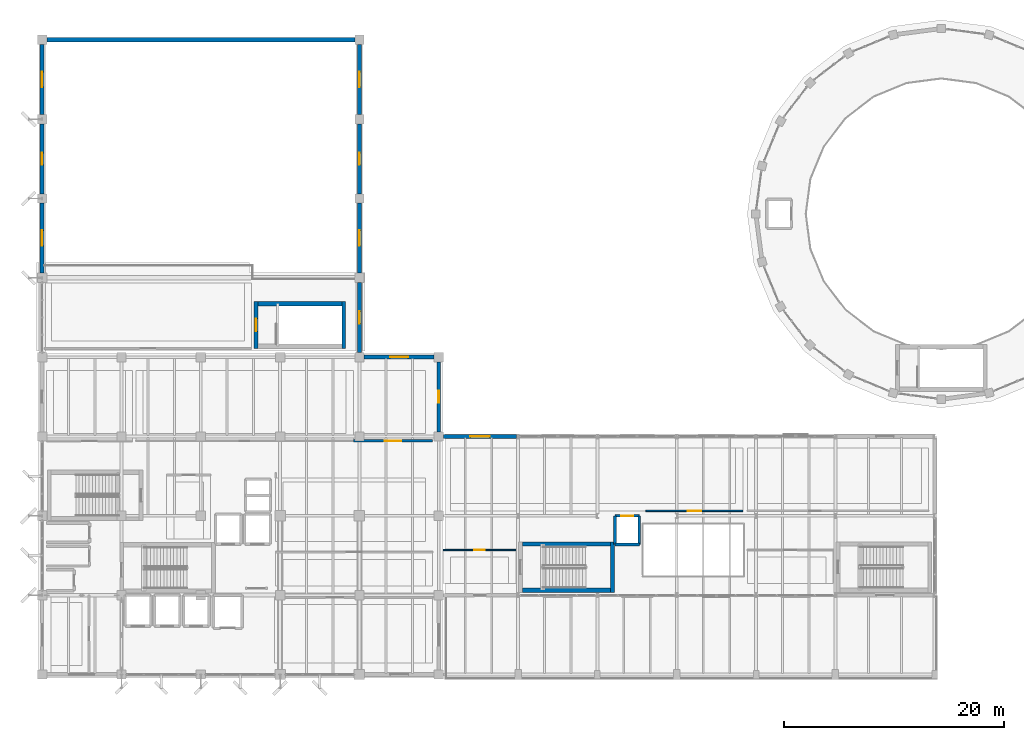
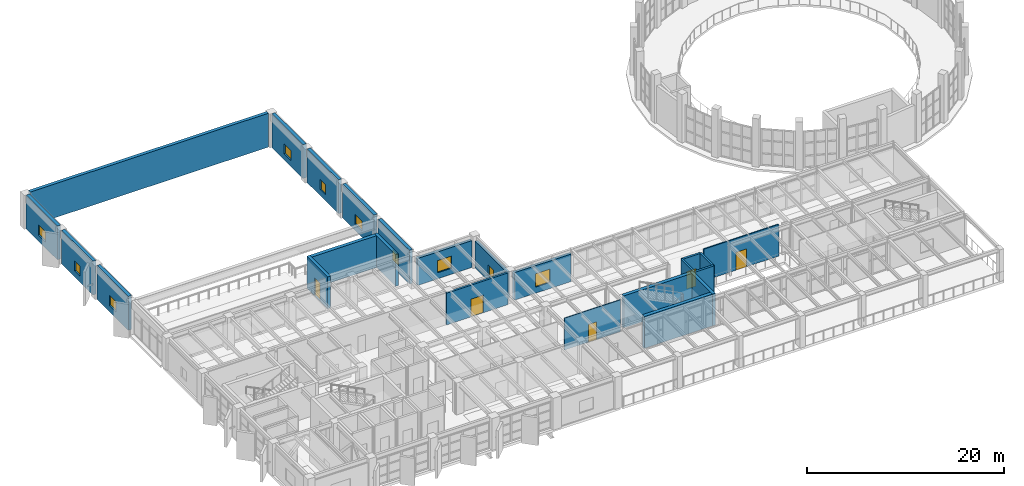
# One storey, part 42 of 59: 24 walls, 10 windows, 5 doors, 15 openings.
"""IFC4 building model written with IfcOpenShell, lengths in metres."""

from ifc_helpers import new_model, si_unit, direction, frame, frame_2d, origin, place, context, subcontext, project, spatial, rectangle, extrude, material, layer, layer_set, type_object, element, fill, save


model = new_model("IFC4")

# Units and contexts
model_context = context("Model", 3, precision=1e-05, world=origin(), true_north=direction((0.0, 1.0)))
body_context = subcontext(model_context, "Body", "Model", "MODEL_VIEW")
ifc_project = project(units=[si_unit("LENGTHUNIT", "METRE"), si_unit("AREAUNIT", "SQUARE_METRE"), si_unit("VOLUMEUNIT", "CUBIC_METRE"), si_unit("PLANEANGLEUNIT", "RADIAN"), si_unit("MASSUNIT", "GRAM", prefix="KILO")], contexts=[model_context])

# Site, building, storey
site_placement = place(None, origin())
site = spatial("IfcSite", under=ifc_project, at=site_placement, CompositionType="ELEMENT")
building_placement = place(site_placement, origin())
building = spatial("IfcBuilding", under=site, at=building_placement, Name="Kandorven Conservatory and Botanical Research Centre", CompositionType="ELEMENT")
storey_placement = place(building_placement, frame((0.0, 0.0, 4.800048828125)))
storey = spatial("IfcBuildingStorey", under=building, at=storey_placement, Name="L01", CompositionType="ELEMENT", Elevation=4.800048828125)

# Walls
ifc_material_1 = material(Name="Concrete C40/50 (M50)", Category="concrete")
ifc_layer_1 = layer(ifc_material_1, 0.39990234375)
ifc_layer_set_1 = layer_set([ifc_layer_1], Name="Concrete C40/50 (M50)")
wall_type_1 = type_object("IfcWallType", Name="Wall_CW-RC-1", PredefinedType="SHEAR", material=ifc_layer_set_1)
for number, where, z_axis, x_axis, name in (
    (1, (49.60009765625, 13.64501953125, 0.0), (0.0, 0.0, 1.0), (1.0, 0.0, 0.0), "Core stair shear wall CW-RC-1 ST-V3A L01 side A"),
    (2, (49.60009765625, 17.844970703125, 0.0), (0.0, 0.0, 1.0), (1.0, 0.0, 0.0), "Core stair shear wall CW-RC-1 ST-V3A L01 side B"),
):
    element("IfcWall", number, at=place(storey_placement, frame(where, z_axis=z_axis, x_axis=x_axis)), inside=storey, type_object=wall_type_1, Name=name, PredefinedType="SHEAR", context=body_context, shape_type="SweptSolid", body=[
        extrude(rectangle(XDim=7.97998046875, YDim=0.39990234375, at=frame_2d((3.989990234375, 0.0))), origin(), (0.0, 0.0, 1.0), 3.949951171875),
    ])
wall_1_placement = place(storey_placement, frame((25.60009765625, 39.655029296875, 0.0), z_axis=(0.0, 0.0, 1.0), x_axis=(1.0, 0.0, 0.0)))
element("IfcWall", 3, at=wall_1_placement, inside=storey, type_object=wall_type_1, Name="Core stair shear wall CW-RC-1 ST-V2 L01 side B", PredefinedType="SHEAR", context=body_context, shape_type="SweptSolid", body=[
    extrude(rectangle(XDim=7.599853515625, YDim=0.39990234375, at=frame_2d((3.7998046875, 0.0))), origin(), (0.0, 0.0, 1.0), 3.949951171875),
])
ifc_material_2 = material(Name="Concrete C40/50 (M50)", Category="concrete")
ifc_layer_2 = layer(ifc_material_2, 0.35009765625)
ifc_layer_set_2 = layer_set([ifc_layer_2], Name="Concrete C40/50 (M50)")
wall_type_2 = type_object("IfcWallType", Name="Wall_CW-RC-2", PredefinedType="SHEAR", material=ifc_layer_set_2)
wall_2_placement = place(storey_placement, frame((57.7548828125, 13.449951171875, 0.0), z_axis=(0.0, 0.0, 1.0), x_axis=(0.0, 1.0, 0.0)))
element("IfcWall", 4, at=wall_2_placement, inside=storey, type_object=wall_type_2, Name="Core stair shear wall CW-RC-2 ST-V3A L01 far", PredefinedType="SHEAR", context=body_context, shape_type="SweptSolid", body=[
    extrude(rectangle(XDim=4.590087890625, YDim=0.35009765625, at=frame_2d((2.294921875, 0.0))), origin(), (0.0, 0.0, 1.0), 3.949951171875),
])

# Wall, opening, door
wall_3_placement = place(storey_placement, frame((25.425048828125, 35.60009765625, 0.0), z_axis=(0.0, 0.0, 1.0), x_axis=(0.0, 1.0, 0.0)))
wall_3 = element("IfcWall", 5, at=wall_3_placement, inside=storey, type_object=wall_type_2, Name="Core stair shear wall CW-RC-2 ST-V2 L01 entry", PredefinedType="SHEAR", context=body_context, shape_type="SweptSolid", body=[
    extrude(rectangle(XDim=4.25, YDim=0.35009765625, at=frame_2d((2.125, 0.0))), origin(), (0.0, 0.0, 1.0), 3.949951171875),
])
opening_1_placement = place(wall_3_placement, frame((1.550048828125, 0.0, 0.0)))
opening_1 = element("IfcOpeningElement", 6, at=opening_1_placement, cuts=wall_3, Name="Opening FD-2", PredefinedType="OPENING", context=body_context, shape_type="SweptSolid", body=[
    extrude(rectangle(XDim=1.14990234375, YDim=2.199951171875, at=frame_2d((0.574951171875, 1.10009765625))), frame((0.0, 0.18505859375, 0.0), z_axis=(0.0, -1.0, 0.0), x_axis=(1.0, 0.0, 0.0)), (0.0, 0.0, 1.0), 0.3701171875),
])
ifc_material_3 = material(Name="Galvanised hollow steel fire door assembly", Category="steel")
door_type_1 = type_object("IfcDoorType", Name="Door_FD-2", OperationType="NOTDEFINED", PredefinedType="DOOR", material=ifc_material_3)
door_1_placement = place(opening_1_placement, origin())
door_1 = element("IfcDoor", 7, at=door_1_placement, inside=storey, type_object=door_type_1, Name="Exit stair fire door FD-2 ST-V2 L01", OperationType="SINGLE_SWING_RIGHT", OverallHeight=2.199951171875, OverallWidth=1.14990234375, PredefinedType="DOOR", context=body_context, shape_type="SweptSolid", body=[
    extrude(rectangle(XDim=1.14990234375, YDim=2.199951171875, at=frame_2d((0.574951171875, 1.10009765625))), frame((0.0, 0.02490234375, 0.0), z_axis=(0.0, -1.0, 0.0), x_axis=(1.0, 0.0, 0.0)), (0.0, 0.0, 1.0), 0.050048828125),
])
fill(opening_1, door_1)

# Walls
wall_4_placement = place(storey_placement, frame((33.375, 35.60009765625, 0.0), z_axis=(0.0, 0.0, 1.0), x_axis=(0.0, 1.0, 0.0)))
element("IfcWall", 8, at=wall_4_placement, inside=storey, type_object=wall_type_2, Name="Core stair shear wall CW-RC-2 ST-V2 L01 far", PredefinedType="SHEAR", context=body_context, shape_type="SweptSolid", body=[
    extrude(rectangle(XDim=4.25, YDim=0.35009765625, at=frame_2d((2.125, 0.0))), origin(), (0.0, 0.0, 1.0), 3.949951171875),
])
wall_5_placement = place(storey_placement, frame((58.0, 17.800048828125, 0.0), z_axis=(0.0, 0.0, 1.0), x_axis=(1.0, 0.0, 0.0)))
element("IfcWall", 9, at=wall_5_placement, inside=storey, type_object=wall_type_2, Name="Lift shaft wall VL-1 L01 S", PredefinedType="SHEAR", context=body_context, shape_type="SweptSolid", body=[
    extrude(rectangle(XDim=2.199951171875, YDim=0.25, at=frame_2d((1.10009765625, 0.0))), origin(), (0.0, 0.0, 1.0), 3.949951171875),
])

# Wall, opening, door
wall_6_placement = place(storey_placement, frame((58.0, 20.39990234375, 0.0), z_axis=(0.0, 0.0, 1.0), x_axis=(1.0, 0.0, 0.0)))
wall_6 = element("IfcWall", 10, at=wall_6_placement, inside=storey, type_object=wall_type_2, Name="Lift shaft wall VL-1 L01 N", PredefinedType="SHEAR", context=body_context, shape_type="SweptSolid", body=[
    extrude(rectangle(XDim=2.199951171875, YDim=0.25, at=frame_2d((1.10009765625, 0.0))), origin(), (0.0, 0.0, 1.0), 3.949951171875),
])
opening_2_placement = place(wall_6_placement, frame((0.550048828125, 0.0, 0.0)))
opening_2 = element("IfcOpeningElement", 11, at=opening_2_placement, cuts=wall_6, Name="Opening LD-01", PredefinedType="OPENING", context=body_context, shape_type="SweptSolid", body=[
    extrude(rectangle(XDim=1.10009765625, YDim=2.199951171875, at=frame_2d((0.550048828125, 1.10009765625))), frame((0.0, 0.135009765625, 0.0), z_axis=(0.0, -1.0, 0.0), x_axis=(1.0, 0.0, 0.0)), (0.0, 0.0, 1.0), 0.27001953125),
])
ifc_material_4 = material(Name="Anodised aluminium sliding landing door", Category="aluminium")
door_type_2 = type_object("IfcDoorType", Name="Door_LD-01", OperationType="DOUBLE_DOOR_SLIDING", PredefinedType="DOOR", material=ifc_material_4)
door_2_placement = place(opening_2_placement, origin())
door_2 = element("IfcDoor", 12, at=door_2_placement, inside=storey, type_object=door_type_2, Name="Lift landing sliding door LD-01 (VL-1 L01)", OperationType="DOUBLE_DOOR_SLIDING", OverallHeight=2.199951171875, OverallWidth=1.10009765625, PredefinedType="DOOR", context=body_context, shape_type="SweptSolid", body=[
    extrude(rectangle(XDim=1.10009765625, YDim=2.199951171875, at=frame_2d((0.550048828125, 1.10009765625))), frame((0.0, 0.02490234375, 0.0), z_axis=(0.0, -1.0, 0.0), x_axis=(1.0, 0.0, 0.0)), (0.0, 0.0, 1.0), 0.050048828125),
])
fill(opening_2, door_2)

# Walls
for number, where, z_axis, x_axis, name in (
    (13, (58.0, 17.800048828125, 0.0), (0.0, 0.0, 1.0), (0.0, 1.0, 0.0), "Lift shaft wall VL-1 L01 W"),
    (14, (60.199951171875, 17.800048828125, 0.0), (0.0, 0.0, 1.0), (0.0, 1.0, 0.0), "Lift shaft wall VL-1 L01 E"),
):
    element("IfcWall", number, at=place(storey_placement, frame(where, z_axis=z_axis, x_axis=x_axis)), inside=storey, type_object=wall_type_2, Name=name, PredefinedType="SHEAR", context=body_context, shape_type="SweptSolid", body=[
        extrude(rectangle(XDim=2.599853515625, YDim=0.25, at=frame_2d((1.2998046875, 0.0))), origin(), (0.0, 0.0, 1.0), 3.949951171875),
    ])

# Wall, opening, window
ifc_material_5 = material(Name="Concrete C40/50 (M50)", Category="concrete")
ifc_layer_3 = layer(ifc_material_5, 0.360107421875)
ifc_layer_set_3 = layer_set([ifc_layer_3], Name="Concrete C40/50 (M50)")
wall_type_3 = type_object("IfcWallType", Name="Wall_EW-01", PredefinedType="STANDARD", material=ifc_layer_set_3)
wall_7_placement = place(storey_placement, frame((35.22509765625, 34.800048828125, 0.0), z_axis=(0.0, 0.0, 1.0), x_axis=(1.0, 0.0, 0.0)))
wall_7 = element("IfcWall", 15, at=wall_7_placement, inside=storey, type_object=wall_type_3, Name="Tower concrete facade wall EW-01 N L01", PredefinedType="STANDARD", context=body_context, shape_type="SweptSolid", body=[
    extrude(rectangle(XDim=6.349853515625, YDim=0.360107421875, at=frame_2d((3.1748046875, 0.0))), origin(), (0.0, 0.0, 1.0), 3.329833984375),
])
opening_3_placement = place(wall_7_placement, frame((2.35009765625, 0.0, 0.75)))
opening_3 = element("IfcOpeningElement", 16, at=opening_3_placement, cuts=wall_7, Name="Opening W-41", PredefinedType="OPENING", context=body_context, shape_type="SweptSolid", body=[
    extrude(rectangle(XDim=1.64990234375, YDim=1.5, at=frame_2d((0.824951171875, 0.75))), frame((0.0, 0.18994140625, 0.0), z_axis=(0.0, -1.0, 0.0), x_axis=(1.0, 0.0, 0.0)), (0.0, 0.0, 1.0), 0.380126953125),
])
ifc_material_6 = material(Name="Double-glazed solar-control low-E glass", Category="glass")
window_type_1 = type_object("IfcWindowType", Name="Win_W-41", PartitioningType="DOUBLE_PANEL_VERTICAL", PredefinedType="WINDOW", material=ifc_material_6)
window_1_placement = place(opening_3_placement, origin())
window_1 = element("IfcWindow", 17, at=window_1_placement, inside=storey, type_object=window_type_1, Name="Tower recessed solar window W-41", OverallHeight=1.5, OverallWidth=1.64990234375, PartitioningType="SINGLE_PANEL", PredefinedType="WINDOW", context=body_context, shape_type="SweptSolid", body=[
    extrude(rectangle(XDim=1.64990234375, YDim=1.5, at=frame_2d((0.824951171875, 0.75))), frame((0.0, 0.030029296875, 0.0), z_axis=(0.0, -1.0, 0.0), x_axis=(1.0, 0.0, 0.0)), (0.0, 0.0, 1.0), 0.06005859375),
])
fill(opening_3, window_1)

ifc_material_7 = material(Name="Concrete C32/40 (M40)", Category="concrete")
ifc_layer_4 = layer(ifc_material_7, 0.340087890625)
ifc_layer_set_4 = layer_set([ifc_layer_4], Name="Concrete C32/40 (M40)")
wall_type_4 = type_object("IfcWallType", Name="Wall_EW-02", PredefinedType="STANDARD", material=ifc_layer_set_4)
wall_8_placement = place(storey_placement, frame((42.425048828125, 27.60009765625, 0.0), z_axis=(0.0, 0.0, 1.0), x_axis=(1.0, 0.0, 0.0)))
wall_8 = element("IfcWall", 18, at=wall_8_placement, inside=storey, type_object=wall_type_4, Name="Visitor centre concrete wall EW-02 N L01", PredefinedType="STANDARD", context=body_context, shape_type="SweptSolid", body=[
    extrude(rectangle(XDim=6.64990234375, YDim=0.340087890625, at=frame_2d((3.324951171875, 0.0))), origin(), (0.0, 0.0, 1.0), 3.409912109375),
])
opening_4_placement = place(wall_8_placement, frame((2.449951171875, 0.0, 0.75)))
opening_4 = element("IfcOpeningElement", 19, at=opening_4_placement, cuts=wall_8, Name="Opening W-28", PredefinedType="OPENING", context=body_context, shape_type="SweptSolid", body=[
    extrude(rectangle(XDim=1.75, YDim=1.64990234375, at=frame_2d((0.875, 0.824951171875))), frame((0.0, 0.179931640625, 0.0), z_axis=(0.0, -1.0, 0.0), x_axis=(1.0, 0.0, 0.0)), (0.0, 0.0, 1.0), 0.360107421875),
])
ifc_material_8 = material(Name="Double-glazed solar-control low-E glass", Category="glass")
window_type_2 = type_object("IfcWindowType", Name="Win_W-28", PartitioningType="DOUBLE_PANEL_VERTICAL", PredefinedType="WINDOW", material=ifc_material_8)
window_2_placement = place(opening_4_placement, origin())
window_2 = element("IfcWindow", 20, at=window_2_placement, inside=storey, type_object=window_type_2, Name="Visitor wing deep-reveal window W-28", OverallHeight=1.64990234375, OverallWidth=1.75, PartitioningType="SINGLE_PANEL", PredefinedType="WINDOW", context=body_context, shape_type="SweptSolid", body=[
    extrude(rectangle(XDim=1.75, YDim=1.64990234375, at=frame_2d((0.875, 0.824951171875))), frame((0.0, 0.030029296875, 0.0), z_axis=(0.0, -1.0, 0.0), x_axis=(1.0, 0.0, 0.0)), (0.0, 0.0, 1.0), 0.06005859375),
])
fill(opening_4, window_2)

wall_9_placement = place(storey_placement, frame((42.0, 28.02490234375, 0.0), z_axis=(0.0, 0.0, 1.0), x_axis=(0.0, 1.0, 0.0)))
wall_9 = element("IfcWall", 21, at=wall_9_placement, inside=storey, type_object=wall_type_4, Name="Tower concrete facade wall EW-02 E L01", PredefinedType="STANDARD", context=body_context, shape_type="SweptSolid", body=[
    extrude(rectangle(XDim=6.35009765625, YDim=0.340087890625, at=frame_2d((3.175048828125, 0.0))), origin(), (0.0, 0.0, 1.0), 3.329833984375),
])
opening_5_placement = place(wall_9_placement, frame((2.625, 0.0, 0.75)))
opening_5 = element("IfcOpeningElement", 22, at=opening_5_placement, cuts=wall_9, Name="Opening W-45", PredefinedType="OPENING", context=body_context, shape_type="SweptSolid", body=[
    extrude(rectangle(XDim=1.10009765625, YDim=1.25, at=frame_2d((0.550048828125, 0.625))), frame((0.0, 0.179931640625, 0.0), z_axis=(0.0, -1.0, 0.0), x_axis=(1.0, 0.0, 0.0)), (0.0, 0.0, 1.0), 0.360107421875),
])
ifc_material_9 = material(Name="Double-glazed solar-control low-E glass", Category="glass")
window_type_3 = type_object("IfcWindowType", Name="Win_W-45", PartitioningType="DOUBLE_PANEL_VERTICAL", PredefinedType="WINDOW", material=ifc_material_9)
window_3_placement = place(opening_5_placement, origin())
window_3 = element("IfcWindow", 23, at=window_3_placement, inside=storey, type_object=window_type_3, Name="Tower recessed solar window W-45", OverallHeight=1.25, OverallWidth=1.10009765625, PartitioningType="SINGLE_PANEL", PredefinedType="WINDOW", context=body_context, shape_type="SweptSolid", body=[
    extrude(rectangle(XDim=1.10009765625, YDim=1.25, at=frame_2d((0.550048828125, 0.625))), frame((0.0, 0.030029296875, 0.0), z_axis=(0.0, -1.0, 0.0), x_axis=(1.0, 0.0, 0.0)), (0.0, 0.0, 1.0), 0.06005859375),
])
fill(opening_5, window_3)

ifc_material_10 = material(Name="Concrete C40/50 (M50)", Category="concrete")
ifc_layer_5 = layer(ifc_material_10, 0.3798828125)
ifc_layer_set_5 = layer_set([ifc_layer_5], Name="Concrete C40/50 (M50)")
wall_type_5 = type_object("IfcWallType", Name="Wall_EW-AU-01", PredefinedType="STANDARD", material=ifc_layer_set_5)
wall_10_placement = place(storey_placement, frame((6.0, 42.425048828125, 0.0), z_axis=(0.0, 0.0, 1.0), x_axis=(0.0, 1.0, 0.0)))
wall_10 = element("IfcWall", 24, at=wall_10_placement, inside=storey, type_object=wall_type_5, Name="Auditorium sculpted concrete wall W L01 bay 2", PredefinedType="STANDARD", context=body_context, shape_type="SweptSolid", body=[
    extrude(rectangle(XDim=6.349853515625, YDim=0.3798828125, at=frame_2d((3.1748046875, 0.0))), origin(), (0.0, 0.0, 1.0), 4.199951171875),
])
opening_6_placement = place(wall_10_placement, frame((2.47509765625, 0.0, 0.75)))
opening_6 = element("IfcOpeningElement", 25, at=opening_6_placement, cuts=wall_10, Name="Opening W-46", PredefinedType="OPENING", context=body_context, shape_type="SweptSolid", body=[
    extrude(rectangle(XDim=1.39990234375, YDim=1.25, at=frame_2d((0.699951171875, 0.625))), frame((0.0, 0.199951171875, 0.0), z_axis=(0.0, -1.0, 0.0), x_axis=(1.0, 0.0, 0.0)), (0.0, 0.0, 1.0), 0.39990234375),
])
ifc_material_11 = material(Name="Double-glazed solar-control low-E glass", Category="glass")
window_type_4 = type_object("IfcWindowType", Name="Win_W-46", PartitioningType="DOUBLE_PANEL_VERTICAL", PredefinedType="WINDOW", material=ifc_material_11)
window_4_placement = place(opening_6_placement, origin())
window_4 = element("IfcWindow", 26, at=window_4_placement, inside=storey, type_object=window_type_4, Name="Auditorium vertical slot window W-46", OverallHeight=1.25, OverallWidth=1.39990234375, PartitioningType="SINGLE_PANEL", PredefinedType="WINDOW", context=body_context, shape_type="SweptSolid", body=[
    extrude(rectangle(XDim=1.39990234375, YDim=1.25, at=frame_2d((0.699951171875, 0.625))), frame((0.0, 0.030029296875, 0.0), z_axis=(0.0, -1.0, 0.0), x_axis=(1.0, 0.0, 0.0)), (0.0, 0.0, 1.0), 0.06005859375),
])
fill(opening_6, window_4)

wall_11_placement = place(storey_placement, frame((6.0, 49.625, 0.0), z_axis=(0.0, 0.0, 1.0), x_axis=(0.0, 1.0, 0.0)))
wall_11 = element("IfcWall", 27, at=wall_11_placement, inside=storey, type_object=wall_type_5, Name="Auditorium sculpted concrete wall W L01 bay 3", PredefinedType="STANDARD", context=body_context, shape_type="SweptSolid", body=[
    extrude(rectangle(XDim=6.35009765625, YDim=0.3798828125, at=frame_2d((3.175048828125, 0.0))), origin(), (0.0, 0.0, 1.0), 4.199951171875),
])
opening_7_placement = place(wall_11_placement, frame((2.625, 0.0, 0.75)))
opening_7 = element("IfcOpeningElement", 28, at=opening_7_placement, cuts=wall_11, Name="Opening W-45", PredefinedType="OPENING", context=body_context, shape_type="SweptSolid", body=[
    extrude(rectangle(XDim=1.10009765625, YDim=1.25, at=frame_2d((0.550048828125, 0.625))), frame((0.0, 0.199951171875, 0.0), z_axis=(0.0, -1.0, 0.0), x_axis=(1.0, 0.0, 0.0)), (0.0, 0.0, 1.0), 0.39990234375),
])
window_5_placement = place(opening_7_placement, origin())
window_5 = element("IfcWindow", 29, at=window_5_placement, inside=storey, type_object=window_type_3, Name="Auditorium vertical slot window W-45", OverallHeight=1.25, OverallWidth=1.10009765625, PartitioningType="SINGLE_PANEL", PredefinedType="WINDOW", context=body_context, shape_type="SweptSolid", body=[
    extrude(rectangle(XDim=1.10009765625, YDim=1.25, at=frame_2d((0.550048828125, 0.625))), frame((0.0, 0.030029296875, 0.0), z_axis=(0.0, -1.0, 0.0), x_axis=(1.0, 0.0, 0.0)), (0.0, 0.0, 1.0), 0.06005859375),
])
fill(opening_7, window_5)

wall_12_placement = place(storey_placement, frame((6.0, 56.824951171875, 0.0), z_axis=(0.0, 0.0, 1.0), x_axis=(0.0, 1.0, 0.0)))
wall_12 = element("IfcWall", 30, at=wall_12_placement, inside=storey, type_object=wall_type_5, Name="Auditorium sculpted concrete wall W L01 bay 4", PredefinedType="STANDARD", context=body_context, shape_type="SweptSolid", body=[
    extrude(rectangle(XDim=6.35009765625, YDim=0.3798828125, at=frame_2d((3.175048828125, 0.0))), origin(), (0.0, 0.0, 1.0), 4.199951171875),
])
opening_8_placement = place(wall_12_placement, frame((2.47509765625, 0.0, 0.75)))
opening_8 = element("IfcOpeningElement", 31, at=opening_8_placement, cuts=wall_12, Name="Opening W-46", PredefinedType="OPENING", context=body_context, shape_type="SweptSolid", body=[
    extrude(rectangle(XDim=1.39990234375, YDim=1.25, at=frame_2d((0.699951171875, 0.625))), frame((0.0, 0.199951171875, 0.0), z_axis=(0.0, -1.0, 0.0), x_axis=(1.0, 0.0, 0.0)), (0.0, 0.0, 1.0), 0.39990234375),
])
window_6_placement = place(opening_8_placement, origin())
window_6 = element("IfcWindow", 32, at=window_6_placement, inside=storey, type_object=window_type_4, Name="Auditorium vertical slot window W-46", OverallHeight=1.25, OverallWidth=1.39990234375, PartitioningType="SINGLE_PANEL", PredefinedType="WINDOW", context=body_context, shape_type="SweptSolid", body=[
    extrude(rectangle(XDim=1.39990234375, YDim=1.25, at=frame_2d((0.699951171875, 0.625))), frame((0.0, 0.030029296875, 0.0), z_axis=(0.0, -1.0, 0.0), x_axis=(1.0, 0.0, 0.0)), (0.0, 0.0, 1.0), 0.06005859375),
])
fill(opening_8, window_6)

wall_13_placement = place(storey_placement, frame((34.800048828125, 35.22509765625, 0.0), z_axis=(0.0, 0.0, 1.0), x_axis=(0.0, 1.0, 0.0)))
wall_13 = element("IfcWall", 33, at=wall_13_placement, inside=storey, type_object=wall_type_5, Name="Auditorium sculpted concrete wall E L01 bay 1", PredefinedType="STANDARD", context=body_context, shape_type="SweptSolid", body=[
    extrude(rectangle(XDim=6.349853515625, YDim=0.3798828125, at=frame_2d((3.1748046875, 0.0))), origin(), (0.0, 0.0, 1.0), 4.199951171875),
])
opening_9_placement = place(wall_13_placement, frame((2.625, 0.0, 0.75)))
opening_9 = element("IfcOpeningElement", 34, at=opening_9_placement, cuts=wall_13, Name="Opening W-45", PredefinedType="OPENING", context=body_context, shape_type="SweptSolid", body=[
    extrude(rectangle(XDim=1.10009765625, YDim=1.25, at=frame_2d((0.550048828125, 0.625))), frame((0.0, 0.199951171875, 0.0), z_axis=(0.0, -1.0, 0.0), x_axis=(1.0, 0.0, 0.0)), (0.0, 0.0, 1.0), 0.39990234375),
])
window_7_placement = place(opening_9_placement, origin())
window_7 = element("IfcWindow", 35, at=window_7_placement, inside=storey, type_object=window_type_3, Name="Auditorium vertical slot window W-45", OverallHeight=1.25, OverallWidth=1.10009765625, PartitioningType="SINGLE_PANEL", PredefinedType="WINDOW", context=body_context, shape_type="SweptSolid", body=[
    extrude(rectangle(XDim=1.10009765625, YDim=1.25, at=frame_2d((0.550048828125, 0.625))), frame((0.0, 0.030029296875, 0.0), z_axis=(0.0, -1.0, 0.0), x_axis=(1.0, 0.0, 0.0)), (0.0, 0.0, 1.0), 0.06005859375),
])
fill(opening_9, window_7)

wall_14_placement = place(storey_placement, frame((34.800048828125, 42.425048828125, 0.0), z_axis=(0.0, 0.0, 1.0), x_axis=(0.0, 1.0, 0.0)))
wall_14 = element("IfcWall", 36, at=wall_14_placement, inside=storey, type_object=wall_type_5, Name="Auditorium sculpted concrete wall E L01 bay 2", PredefinedType="STANDARD", context=body_context, shape_type="SweptSolid", body=[
    extrude(rectangle(XDim=6.349853515625, YDim=0.3798828125, at=frame_2d((3.1748046875, 0.0))), origin(), (0.0, 0.0, 1.0), 4.199951171875),
])
opening_10_placement = place(wall_14_placement, frame((2.47509765625, 0.0, 0.75)))
opening_10 = element("IfcOpeningElement", 37, at=opening_10_placement, cuts=wall_14, Name="Opening W-46", PredefinedType="OPENING", context=body_context, shape_type="SweptSolid", body=[
    extrude(rectangle(XDim=1.39990234375, YDim=1.25, at=frame_2d((0.699951171875, 0.625))), frame((0.0, 0.199951171875, 0.0), z_axis=(0.0, -1.0, 0.0), x_axis=(1.0, 0.0, 0.0)), (0.0, 0.0, 1.0), 0.39990234375),
])
window_8_placement = place(opening_10_placement, origin())
window_8 = element("IfcWindow", 38, at=window_8_placement, inside=storey, type_object=window_type_4, Name="Auditorium vertical slot window W-46", OverallHeight=1.25, OverallWidth=1.39990234375, PartitioningType="SINGLE_PANEL", PredefinedType="WINDOW", context=body_context, shape_type="SweptSolid", body=[
    extrude(rectangle(XDim=1.39990234375, YDim=1.25, at=frame_2d((0.699951171875, 0.625))), frame((0.0, 0.030029296875, 0.0), z_axis=(0.0, -1.0, 0.0), x_axis=(1.0, 0.0, 0.0)), (0.0, 0.0, 1.0), 0.06005859375),
])
fill(opening_10, window_8)

wall_15_placement = place(storey_placement, frame((34.800048828125, 49.625, 0.0), z_axis=(0.0, 0.0, 1.0), x_axis=(0.0, 1.0, 0.0)))
wall_15 = element("IfcWall", 39, at=wall_15_placement, inside=storey, type_object=wall_type_5, Name="Auditorium sculpted concrete wall E L01 bay 3", PredefinedType="STANDARD", context=body_context, shape_type="SweptSolid", body=[
    extrude(rectangle(XDim=6.35009765625, YDim=0.3798828125, at=frame_2d((3.175048828125, 0.0))), origin(), (0.0, 0.0, 1.0), 4.199951171875),
])
opening_11_placement = place(wall_15_placement, frame((2.625, 0.0, 0.75)))
opening_11 = element("IfcOpeningElement", 40, at=opening_11_placement, cuts=wall_15, Name="Opening W-45", PredefinedType="OPENING", context=body_context, shape_type="SweptSolid", body=[
    extrude(rectangle(XDim=1.10009765625, YDim=1.25, at=frame_2d((0.550048828125, 0.625))), frame((0.0, 0.199951171875, 0.0), z_axis=(0.0, -1.0, 0.0), x_axis=(1.0, 0.0, 0.0)), (0.0, 0.0, 1.0), 0.39990234375),
])
window_9_placement = place(opening_11_placement, origin())
window_9 = element("IfcWindow", 41, at=window_9_placement, inside=storey, type_object=window_type_3, Name="Auditorium vertical slot window W-45", OverallHeight=1.25, OverallWidth=1.10009765625, PartitioningType="SINGLE_PANEL", PredefinedType="WINDOW", context=body_context, shape_type="SweptSolid", body=[
    extrude(rectangle(XDim=1.10009765625, YDim=1.25, at=frame_2d((0.550048828125, 0.625))), frame((0.0, 0.030029296875, 0.0), z_axis=(0.0, -1.0, 0.0), x_axis=(1.0, 0.0, 0.0)), (0.0, 0.0, 1.0), 0.06005859375),
])
fill(opening_11, window_9)

wall_16_placement = place(storey_placement, frame((34.800048828125, 56.824951171875, 0.0), z_axis=(0.0, 0.0, 1.0), x_axis=(0.0, 1.0, 0.0)))
wall_16 = element("IfcWall", 42, at=wall_16_placement, inside=storey, type_object=wall_type_5, Name="Auditorium sculpted concrete wall E L01 bay 4", PredefinedType="STANDARD", context=body_context, shape_type="SweptSolid", body=[
    extrude(rectangle(XDim=6.35009765625, YDim=0.3798828125, at=frame_2d((3.175048828125, 0.0))), origin(), (0.0, 0.0, 1.0), 4.199951171875),
])
opening_12_placement = place(wall_16_placement, frame((2.47509765625, 0.0, 0.75)))
opening_12 = element("IfcOpeningElement", 43, at=opening_12_placement, cuts=wall_16, Name="Opening W-46", PredefinedType="OPENING", context=body_context, shape_type="SweptSolid", body=[
    extrude(rectangle(XDim=1.39990234375, YDim=1.25, at=frame_2d((0.699951171875, 0.625))), frame((0.0, 0.199951171875, 0.0), z_axis=(0.0, -1.0, 0.0), x_axis=(1.0, 0.0, 0.0)), (0.0, 0.0, 1.0), 0.39990234375),
])
window_10_placement = place(opening_12_placement, origin())
window_10 = element("IfcWindow", 44, at=window_10_placement, inside=storey, type_object=window_type_4, Name="Auditorium vertical slot window W-46", OverallHeight=1.25, OverallWidth=1.39990234375, PartitioningType="SINGLE_PANEL", PredefinedType="WINDOW", context=body_context, shape_type="SweptSolid", body=[
    extrude(rectangle(XDim=1.39990234375, YDim=1.25, at=frame_2d((0.699951171875, 0.625))), frame((0.0, 0.030029296875, 0.0), z_axis=(0.0, -1.0, 0.0), x_axis=(1.0, 0.0, 0.0)), (0.0, 0.0, 1.0), 0.06005859375),
])
fill(opening_12, window_10)

# Wall
wall_17_placement = place(storey_placement, frame((6.425048828125, 63.60009765625, 0.0), z_axis=(0.0, 0.0, 1.0), x_axis=(1.0, 0.0, 0.0)))
element("IfcWall", 45, at=wall_17_placement, inside=storey, type_object=wall_type_5, Name="Auditorium north stage concrete wall L01", PredefinedType="STANDARD", context=body_context, shape_type="SweptSolid", body=[
    extrude(rectangle(XDim=27.949951171875, YDim=0.3798828125, at=frame_2d((13.97509765625, 0.0))), origin(), (0.0, 0.0, 1.0), 4.199951171875),
])

# Wall, opening, door
ifc_material_12 = material(Name="Fire-rated acoustic gypsum board partition", Category="gypsum")
ifc_layer_6 = layer(ifc_material_12, 0.10595703125)
ifc_layer_set_6 = layer_set([ifc_layer_6], Name="Fire-rated acoustic gypsum board partition")
wall_type_6 = type_object("IfcWallType", Name="Wall_IW-11", PredefinedType="PARTITIONING", material=ifc_layer_set_6)
wall_18_placement = place(storey_placement, frame((42.39990234375, 17.300048828125, 0.0), z_axis=(0.0, 0.0, 1.0), x_axis=(1.0, 0.0, 0.0)))
wall_18 = element("IfcWall", 46, at=wall_18_placement, inside=storey, type_object=wall_type_6, Name="Interior partition wall IW-11 (Flora of Gujarat Permanent Exhibition Gallery)", PredefinedType="PARTITIONING", context=body_context, shape_type="SweptSolid", body=[
    extrude(rectangle(XDim=6.60009765625, YDim=0.10595703125, at=frame_2d((3.300048828125, 0.0))), origin(), (0.0, 0.0, 1.0), 3.929931640625),
])
opening_13_placement = place(wall_18_placement, frame((2.830078125, 0.0, 0.0)))
opening_13 = element("IfcOpeningElement", 47, at=opening_13_placement, cuts=wall_18, Name="Opening D-20", PredefinedType="OPENING", context=body_context, shape_type="SweptSolid", body=[
    extrude(rectangle(XDim=0.93994140625, YDim=2.179931640625, at=frame_2d((0.469970703125, 1.08984375))), frame((0.0, 0.06298828125, 0.0), z_axis=(0.0, -1.0, 0.0), x_axis=(1.0, 0.0, 0.0)), (0.0, 0.0, 1.0), 0.1259765625),
])
ifc_material_13 = material(Name="Solid core acoustic teak-veneered timber leaf", Category="wood")
door_type_3 = type_object("IfcDoorType", Name="Door_D-20", OperationType="NOTDEFINED", PredefinedType="DOOR", material=ifc_material_13)
door_3_placement = place(opening_13_placement, origin())
door_3 = element("IfcDoor", 48, at=door_3_placement, inside=storey, type_object=door_type_3, Name="Interior door D-20 to Flora of Gujarat Permanent Exhibition Gallery", OperationType="SINGLE_SWING_RIGHT", OverallHeight=2.179931640625, OverallWidth=0.93994140625, PredefinedType="DOOR", context=body_context, shape_type="SweptSolid", body=[
    extrude(rectangle(XDim=0.93994140625, YDim=2.179931640625, at=frame_2d((0.469970703125, 1.08984375))), frame((0.0, 0.02490234375, 0.0), z_axis=(0.0, -1.0, 0.0), x_axis=(1.0, 0.0, 0.0)), (0.0, 0.0, 1.0), 0.050048828125),
])
fill(opening_13, door_3)

ifc_material_14 = material(Name="Fire-rated acoustic gypsum board partition", Category="gypsum")
ifc_layer_7 = layer(ifc_material_14, 0.135986328125)
ifc_layer_set_7 = layer_set([ifc_layer_7], Name="Fire-rated acoustic gypsum board partition")
wall_type_7 = type_object("IfcWallType", Name="Wall_IW-14", PredefinedType="PARTITIONING", material=ifc_layer_set_7)
wall_19_placement = place(storey_placement, frame((60.800048828125, 20.85009765625, 0.0), z_axis=(0.0, 0.0, 1.0), x_axis=(1.0, 0.0, 0.0)))
wall_19 = element("IfcWall", 49, at=wall_19_placement, inside=storey, type_object=wall_type_7, Name="Interior partition wall IW-14 (Arid Lands Ecology Exhibition Gallery)", PredefinedType="PARTITIONING", context=body_context, shape_type="SweptSolid", body=[
    extrude(rectangle(XDim=8.800048828125, YDim=0.135986328125, at=frame_2d((4.39990234375, 0.0))), origin(), (0.0, 0.0, 1.0), 3.929931640625),
])
opening_14_placement = place(wall_19_placement, frame((3.7900390625, 0.0, 0.0)))
opening_14 = element("IfcOpeningElement", 50, at=opening_14_placement, cuts=wall_19, Name="Opening D-23", PredefinedType="OPENING", context=body_context, shape_type="SweptSolid", body=[
    extrude(rectangle(XDim=1.219970703125, YDim=2.219970703125, at=frame_2d((0.60986328125, 1.10986328125))), frame((0.0, 0.077880859375, 0.0), z_axis=(0.0, -1.0, 0.0), x_axis=(1.0, 0.0, 0.0)), (0.0, 0.0, 1.0), 0.156005859375),
])
ifc_material_15 = material(Name="Solid core acoustic teak-veneered timber leaf", Category="wood")
door_type_4 = type_object("IfcDoorType", Name="Door_D-23", OperationType="NOTDEFINED", PredefinedType="DOOR", material=ifc_material_15)
door_4_placement = place(opening_14_placement, origin())
door_4 = element("IfcDoor", 51, at=door_4_placement, inside=storey, type_object=door_type_4, Name="Interior door D-23 to Arid Lands Ecology Exhibition Gallery", OperationType="SINGLE_SWING_LEFT", OverallHeight=2.219970703125, OverallWidth=1.219970703125, PredefinedType="DOOR", context=body_context, shape_type="SweptSolid", body=[
    extrude(rectangle(XDim=1.219970703125, YDim=2.219970703125, at=frame_2d((0.60986328125, 1.10986328125))), frame((0.0, 0.02490234375, 0.0), z_axis=(0.0, -1.0, 0.0), x_axis=(1.0, 0.0, 0.0)), (0.0, 0.0, 1.0), 0.050048828125),
])
fill(opening_14, door_4)

ifc_material_16 = material(Name="Concrete C32/40 (M40)", Category="concrete")
ifc_layer_8 = layer(ifc_material_16, 0.22509765625)
ifc_layer_set_8 = layer_set([ifc_layer_8], Name="Concrete C32/40 (M40)")
wall_type_8 = type_object("IfcWallType", Name="Wall_IW-FR-2", PredefinedType="SOLIDWALL", material=ifc_layer_set_8)
wall_20_placement = place(storey_placement, frame((34.27001953125, 27.199951171875, 0.0), z_axis=(0.0, 0.0, 1.0), x_axis=(1.0, 0.0, 0.0)))
wall_20 = element("IfcWall", 52, at=wall_20_placement, inside=storey, type_object=wall_type_8, Name="Interior fire partition wall IW-FR-2 (Botanical Voucher Specimen Intake Studio L01)", PredefinedType="SOLIDWALL", context=body_context, shape_type="SweptSolid", body=[
    extrude(rectangle(XDim=7.179931640625, YDim=0.22509765625, at=frame_2d((3.58984375, 0.0))), origin(), (0.0, 0.0, 1.0), 3.929931640625),
])
opening_15_placement = place(wall_20_placement, frame((2.840087890625, 0.0, 0.0)))
opening_15 = element("IfcOpeningElement", 53, at=opening_15_placement, cuts=wall_20, Name="Opening FD-3", PredefinedType="OPENING", context=body_context, shape_type="SweptSolid", body=[
    extrude(rectangle(XDim=1.5, YDim=2.199951171875, at=frame_2d((0.75, 1.10009765625))), frame((0.0, 0.12255859375, 0.0), z_axis=(0.0, -1.0, 0.0), x_axis=(1.0, 0.0, 0.0)), (0.0, 0.0, 1.0), 0.2451171875),
])
ifc_material_17 = material(Name="Galvanised hollow steel fire door assembly", Category="steel")
door_type_5 = type_object("IfcDoorType", Name="Door_FD-3", OperationType="NOTDEFINED", PredefinedType="DOOR", material=ifc_material_17)
door_5_placement = place(opening_15_placement, origin())
door_5 = element("IfcDoor", 54, at=door_5_placement, inside=storey, type_object=door_type_5, Name="Interior door FD-3 to Botanical Voucher Specimen Intake Studio L01", OperationType="SINGLE_SWING_LEFT", OverallHeight=2.199951171875, OverallWidth=1.5, PredefinedType="DOOR", context=body_context, shape_type="SweptSolid", body=[
    extrude(rectangle(XDim=1.5, YDim=2.199951171875, at=frame_2d((0.75, 1.10009765625))), frame((0.0, 0.02490234375, 0.0), z_axis=(0.0, -1.0, 0.0), x_axis=(1.0, 0.0, 0.0)), (0.0, 0.0, 1.0), 0.050048828125),
])
fill(opening_15, door_5)

save(model, "model.ifc")
